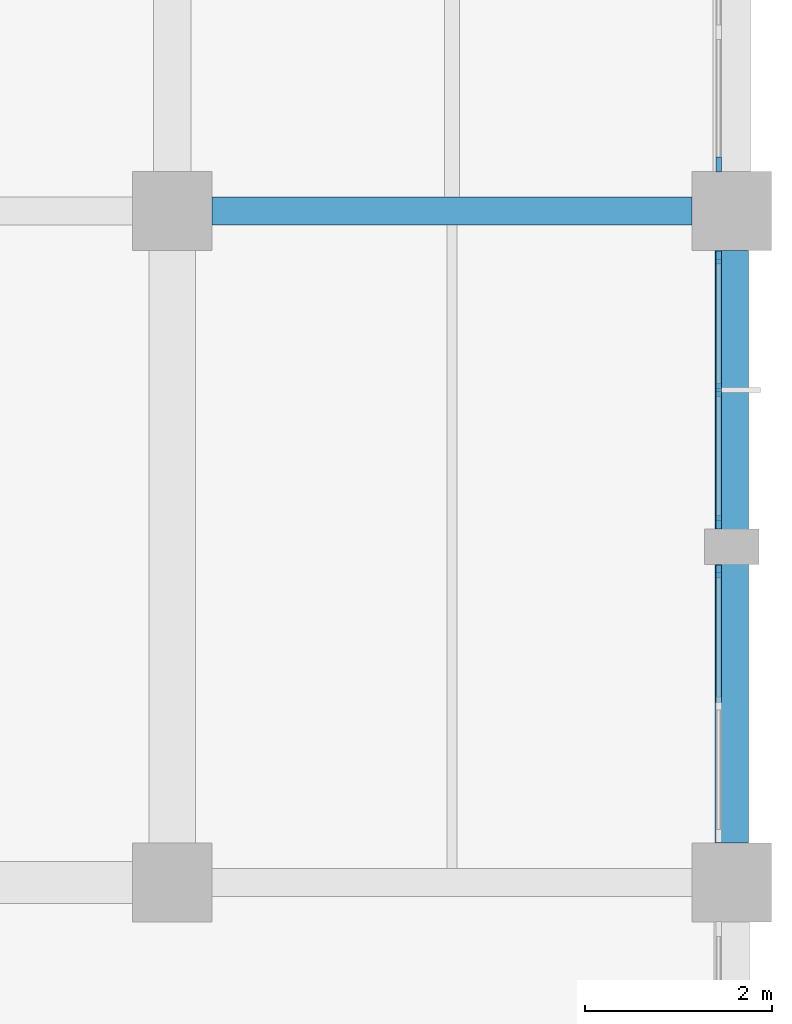
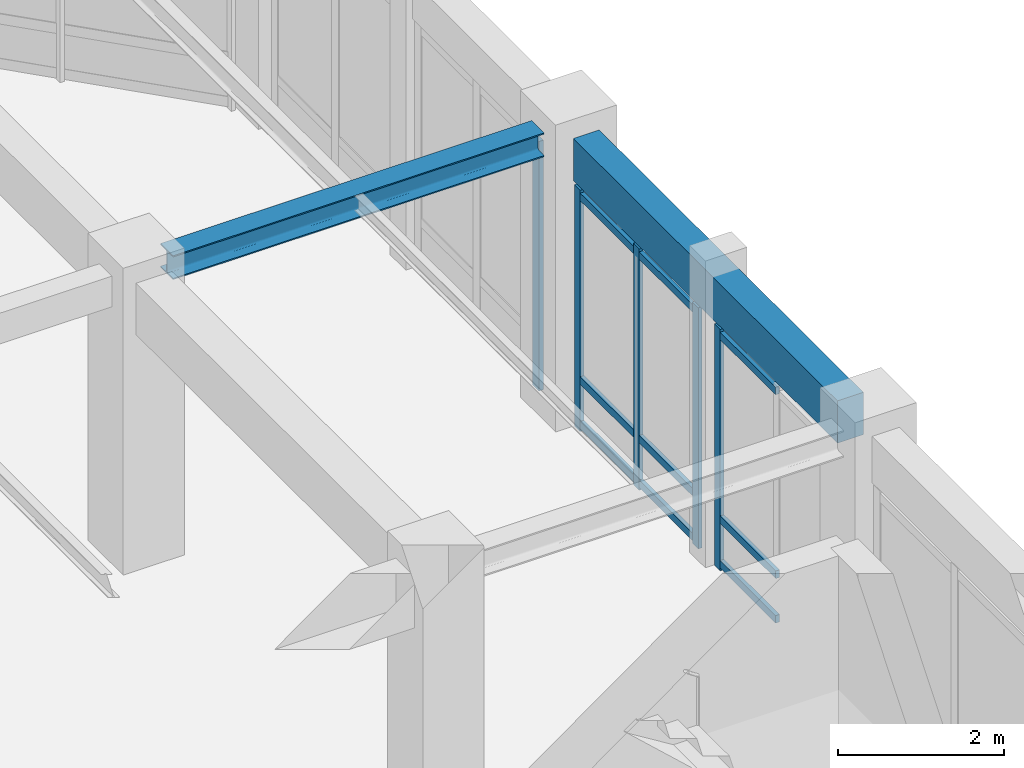
# One storey, part 27 of 62: 14 members, 2 beams, 3 elements without a shape of their own.
"""IFC4 building model written with IfcOpenShell, lengths in metres."""

from ifc_helpers import new_model, si_unit, direction, frame, origin, origin_2d, place, context, subcontext, project, spatial, rectangle, i_section, extrude, material, material_profile, profile_set, type_object, element, aggregate, save


model = new_model("IFC4")

# Units and contexts
model_context = context("Model", 3, precision=1e-05, world=origin(), true_north=direction((0.0, 1.0)))
body_context = subcontext(model_context, "Body", "Model", "MODEL_VIEW")
ifc_project = project(units=[si_unit("LENGTHUNIT", "METRE"), si_unit("AREAUNIT", "SQUARE_METRE"), si_unit("VOLUMEUNIT", "CUBIC_METRE"), si_unit("PLANEANGLEUNIT", "RADIAN"), si_unit("MASSUNIT", "GRAM", prefix="KILO")], contexts=[model_context])

# Site, building, storey
site_placement = place(None, origin())
site = spatial("IfcSite", under=ifc_project, at=site_placement, CompositionType="ELEMENT")
building_placement = place(site_placement, origin())
building = spatial("IfcBuilding", under=site, at=building_placement, Name="Clarverna Civic Hall", CompositionType="ELEMENT")
storey_placement = place(building_placement, frame((0.0, 0.0, 5.10009765625)))
storey = spatial("IfcBuildingStorey", under=building, at=storey_placement, Name="L01", CompositionType="ELEMENT", Elevation=5.10009765625)

# Beams
ifc_material_1 = material(Name="Concrete C35/45", Category="concrete")
ifc_material_profile_1 = material_profile(ifc_material_1, rectangle(XDim=0.360107421875, YDim=0.6201171875, at=origin_2d()), Name="RC 360x620")
ifc_profile_set_1 = profile_set([ifc_material_profile_1], Name="Concrete C35/45")
beam_type_1 = type_object("IfcBeamType", Name="B-SP3", PredefinedType="SPANDREL", material=ifc_profile_set_1)
beam_1_placement = place(storey_placement, frame((168.0, 88.22509765625, 3.909912109375), z_axis=(0.0, 1.0, 0.0), x_axis=(-1.0, 0.0, 0.0)))
element("IfcBeam", 1, at=beam_1_placement, inside=storey, type_object=beam_type_1, Name="B-SP3-081", PredefinedType="SPANDREL", context=body_context, shape_type="SweptSolid", body=[
    extrude(rectangle(XDim=0.360107421875, YDim=0.6201171875, at=origin_2d()), origin(), (0.0, 0.0, 1.0), 6.349853515625),
])
ifc_material_2 = material(Name="Steel S355", Category="steel")
ifc_material_profile_2 = material_profile(ifc_material_2, i_section(OverallWidth=0.300048828125, OverallDepth=0.35009765625, WebThickness=0.010009765625, FlangeThickness=0.017578125, FilletRadius=0.027099609375, at=origin_2d()), Name="HEA 360")
ifc_profile_set_2 = profile_set([ifc_material_profile_2], Name="Steel S355")
beam_type_2 = type_object("IfcBeamType", Name="B-ST7", PredefinedType="BEAM", material=ifc_profile_set_2)
beam_2_placement = place(storey_placement, frame((162.425048828125, 95.0, 4.044921875), z_axis=(1.0, 0.0, 0.0), x_axis=(0.0, 1.0, 0.0)))
element("IfcBeam", 2, at=beam_2_placement, inside=storey, type_object=beam_type_2, Name="B-ST7-007", PredefinedType="BEAM", context=body_context, shape_type="SweptSolid", body=[
    extrude(i_section(OverallWidth=0.300048828125, OverallDepth=0.35009765625, WebThickness=0.010009765625, FlangeThickness=0.017578125, FilletRadius=0.027099609375, at=origin_2d()), origin(), (0.0, 0.0, 1.0), 5.14990234375),
])

# Curtain wall, member
ifc_material_3 = material(Name="Anodised Bronze Architectural Aluminium", Category="aluminium")
curtain_wall_type = type_object("IfcCurtainWallType", Name="CW-01", PredefinedType="USERDEFINED", material=ifc_material_3)
curtain_wall_1_placement = place(storey_placement, origin())
curtain_wall_1 = element("IfcCurtainWall", 3, at=curtain_wall_1_placement, inside=storey, type_object=curtain_wall_type, Name="CW-01-007", ObjectType="UNITISED CURTAIN WALL", PredefinedType="USERDEFINED")
ifc_material_profile_3 = material_profile(ifc_material_3, rectangle(XDim=0.06005859375, YDim=0.159912109375, at=origin_2d()), Name="BRONZE 60x160")
ifc_profile_set_3 = profile_set([ifc_material_profile_3], Name="Anodised Bronze Architectural Aluminium")
member_type_1 = type_object("IfcMemberType", Name="CWM-02", PredefinedType="MULLION", material=ifc_profile_set_3)
member_1_placement = place(storey_placement, frame((167.860107421875, 95.498046875, 0.0), z_axis=(0.0, 0.0, 1.0), x_axis=(1.0, 0.0, 0.0)))
member_1 = element("IfcMember", 4, at=member_1_placement, type_object=member_type_1, Name="CWM-02-045", PredefinedType="MULLION", context=body_context, shape_type="SweptSolid", body=[
    extrude(rectangle(XDim=0.06005859375, YDim=0.159912109375, at=origin_2d()), origin(), (0.0, 0.0, 1.0), 3.659912109375),
])
aggregate(curtain_wall_1, [member_1])

# Curtain wall, members
curtain_wall_2_placement = place(storey_placement, origin())
curtain_wall_2 = element("IfcCurtainWall", 5, at=curtain_wall_2_placement, inside=storey, type_object=curtain_wall_type, Name="CW-01-008", ObjectType="UNITISED CURTAIN WALL", PredefinedType="USERDEFINED")
ifc_material_profile_4 = material_profile(ifc_material_3, rectangle(XDim=0.054931640625, YDim=0.139892578125, at=origin_2d()), Name="BRONZE 55x140")
ifc_profile_set_4 = profile_set([ifc_material_profile_4], Name="Anodised Bronze Architectural Aluminium")
member_type_2 = type_object("IfcMemberType", Name="CWM-04", PredefinedType="MULLION", material=ifc_profile_set_4)
member_2_placement = place(storey_placement, frame((167.860107421875, 94.501953125, 0.0), z_axis=(0.0, 0.0, 1.0), x_axis=(1.0, 0.0, 0.0)))
member_2 = element("IfcMember", 6, at=member_2_placement, type_object=member_type_2, Name="CWM-04-042", PredefinedType="MULLION", context=body_context, shape_type="SweptSolid", body=[
    extrude(rectangle(XDim=0.054931640625, YDim=0.139892578125, at=origin_2d()), origin(), (0.0, 0.0, 1.0), 3.539794921875),
])
member_3_placement = place(storey_placement, frame((167.860107421875, 93.08251953125, 0.0), z_axis=(0.0, 0.0, 1.0), x_axis=(1.0, 0.0, 0.0)))
member_3 = element("IfcMember", 7, at=member_3_placement, type_object=member_type_2, Name="CWM-04-043", PredefinedType="MULLION", context=body_context, shape_type="SweptSolid", body=[
    extrude(rectangle(XDim=0.054931640625, YDim=0.139892578125, at=origin_2d()), origin(), (0.0, 0.0, 1.0), 3.539794921875),
])
member_4_placement = place(storey_placement, frame((167.860107421875, 91.6630859375, 0.0), z_axis=(0.0, 0.0, 1.0), x_axis=(1.0, 0.0, 0.0)))
member_4 = element("IfcMember", 8, at=member_4_placement, type_object=member_type_2, Name="CWM-04-044", PredefinedType="MULLION", context=body_context, shape_type="SweptSolid", body=[
    extrude(rectangle(XDim=0.054931640625, YDim=0.139892578125, at=origin_2d()), origin(), (0.0, 0.0, 1.0), 3.539794921875),
])

# Curtain wall, member
curtain_wall_3_placement = place(storey_placement, origin())
curtain_wall_3 = element("IfcCurtainWall", 9, at=curtain_wall_3_placement, inside=storey, type_object=curtain_wall_type, Name="CW-01-009", ObjectType="UNITISED CURTAIN WALL", PredefinedType="USERDEFINED")
member_5_placement = place(storey_placement, frame((167.860107421875, 91.136962890625, 0.0), z_axis=(0.0, 0.0, 1.0), x_axis=(1.0, 0.0, 0.0)))
member_5 = element("IfcMember", 10, at=member_5_placement, type_object=member_type_2, Name="CWM-04-045", PredefinedType="MULLION", context=body_context, shape_type="SweptSolid", body=[
    extrude(rectangle(XDim=0.054931640625, YDim=0.139892578125, at=origin_2d()), origin(), (0.0, 0.0, 1.0), 3.539794921875),
])

# Member
ifc_material_profile_5 = material_profile(ifc_material_3, rectangle(XDim=0.054931640625, YDim=0.110107421875, at=origin_2d()), Name="BRONZE 55x110")
ifc_profile_set_5 = profile_set([ifc_material_profile_5], Name="Anodised Bronze Architectural Aluminium")
member_type_3 = type_object("IfcMemberType", Name="CWT-04", PredefinedType="USERDEFINED", material=ifc_profile_set_5)
member_6_placement = place(storey_placement, frame((167.860107421875, 94.487060546875, 0.094970703125), z_axis=(0.0, -1.0, 0.0), x_axis=(1.0, 0.0, 0.0)))
member_6 = element("IfcMember", 11, at=member_6_placement, type_object=member_type_3, Name="CWT-04-088", ObjectType="TRANSOM", PredefinedType="USERDEFINED", context=body_context, shape_type="SweptSolid", body=[
    extrude(rectangle(XDim=0.054931640625, YDim=0.110107421875, at=origin_2d()), origin(), (0.0, 0.0, 1.0), 1.3896484375),
])

member_7_placement = place(storey_placement, frame((167.860107421875, 94.487060546875, 0.75), z_axis=(0.0, -1.0, 0.0), x_axis=(1.0, 0.0, 0.0)))
member_7 = element("IfcMember", 12, at=member_7_placement, type_object=member_type_3, Name="CWT-04-089", ObjectType="TRANSOM", PredefinedType="USERDEFINED", context=body_context, shape_type="SweptSolid", body=[
    extrude(rectangle(XDim=0.054931640625, YDim=0.110107421875, at=origin_2d()), origin(), (0.0, 0.0, 1.0), 1.3896484375),
])

member_8_placement = place(storey_placement, frame((167.860107421875, 94.487060546875, 3.44482421875), z_axis=(0.0, -1.0, 0.0), x_axis=(1.0, 0.0, 0.0)))
member_8 = element("IfcMember", 13, at=member_8_placement, type_object=member_type_3, Name="CWT-04-090", ObjectType="TRANSOM", PredefinedType="USERDEFINED", context=body_context, shape_type="SweptSolid", body=[
    extrude(rectangle(XDim=0.054931640625, YDim=0.110107421875, at=origin_2d()), origin(), (0.0, 0.0, 1.0), 1.3896484375),
])

member_9_placement = place(storey_placement, frame((167.860107421875, 93.0673828125, 0.094970703125), z_axis=(0.0, -1.0, 0.0), x_axis=(1.0, 0.0, 0.0)))
member_9 = element("IfcMember", 14, at=member_9_placement, type_object=member_type_3, Name="CWT-04-091", ObjectType="TRANSOM", PredefinedType="USERDEFINED", context=body_context, shape_type="SweptSolid", body=[
    extrude(rectangle(XDim=0.054931640625, YDim=0.110107421875, at=origin_2d()), origin(), (0.0, 0.0, 1.0), 1.389404296875),
])

member_10_placement = place(storey_placement, frame((167.860107421875, 93.0673828125, 0.75), z_axis=(0.0, -1.0, 0.0), x_axis=(1.0, 0.0, 0.0)))
member_10 = element("IfcMember", 15, at=member_10_placement, type_object=member_type_3, Name="CWT-04-092", ObjectType="TRANSOM", PredefinedType="USERDEFINED", context=body_context, shape_type="SweptSolid", body=[
    extrude(rectangle(XDim=0.054931640625, YDim=0.110107421875, at=origin_2d()), origin(), (0.0, 0.0, 1.0), 1.389404296875),
])

member_11_placement = place(storey_placement, frame((167.860107421875, 93.0673828125, 3.44482421875), z_axis=(0.0, -1.0, 0.0), x_axis=(1.0, 0.0, 0.0)))
member_11 = element("IfcMember", 16, at=member_11_placement, type_object=member_type_3, Name="CWT-04-093", ObjectType="TRANSOM", PredefinedType="USERDEFINED", context=body_context, shape_type="SweptSolid", body=[
    extrude(rectangle(XDim=0.054931640625, YDim=0.110107421875, at=origin_2d()), origin(), (0.0, 0.0, 1.0), 1.389404296875),
])

aggregate(curtain_wall_2, [member_2, member_3, member_4, member_6, member_7, member_8, member_9, member_10, member_11])

member_12_placement = place(storey_placement, frame((167.860107421875, 91.1220703125, 0.094970703125), z_axis=(0.0, -1.0, 0.0), x_axis=(1.0, 0.0, 0.0)))
member_12 = element("IfcMember", 17, at=member_12_placement, type_object=member_type_3, Name="CWT-04-094", ObjectType="TRANSOM", PredefinedType="USERDEFINED", context=body_context, shape_type="SweptSolid", body=[
    extrude(rectangle(XDim=0.054931640625, YDim=0.110107421875, at=origin_2d()), origin(), (0.0, 0.0, 1.0), 1.3896484375),
])

member_13_placement = place(storey_placement, frame((167.860107421875, 91.1220703125, 0.75), z_axis=(0.0, -1.0, 0.0), x_axis=(1.0, 0.0, 0.0)))
member_13 = element("IfcMember", 18, at=member_13_placement, type_object=member_type_3, Name="CWT-04-095", ObjectType="TRANSOM", PredefinedType="USERDEFINED", context=body_context, shape_type="SweptSolid", body=[
    extrude(rectangle(XDim=0.054931640625, YDim=0.110107421875, at=origin_2d()), origin(), (0.0, 0.0, 1.0), 1.3896484375),
])

member_14_placement = place(storey_placement, frame((167.860107421875, 91.1220703125, 3.44482421875), z_axis=(0.0, -1.0, 0.0), x_axis=(1.0, 0.0, 0.0)))
member_14 = element("IfcMember", 19, at=member_14_placement, type_object=member_type_3, Name="CWT-04-096", ObjectType="TRANSOM", PredefinedType="USERDEFINED", context=body_context, shape_type="SweptSolid", body=[
    extrude(rectangle(XDim=0.054931640625, YDim=0.110107421875, at=origin_2d()), origin(), (0.0, 0.0, 1.0), 1.3896484375),
])

aggregate(curtain_wall_3, [member_5, member_12, member_13, member_14])

save(model, "model.ifc")
